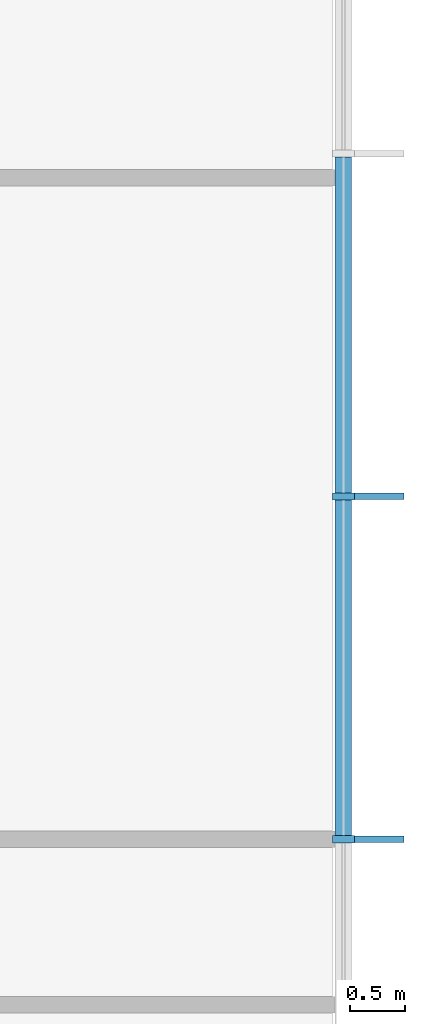
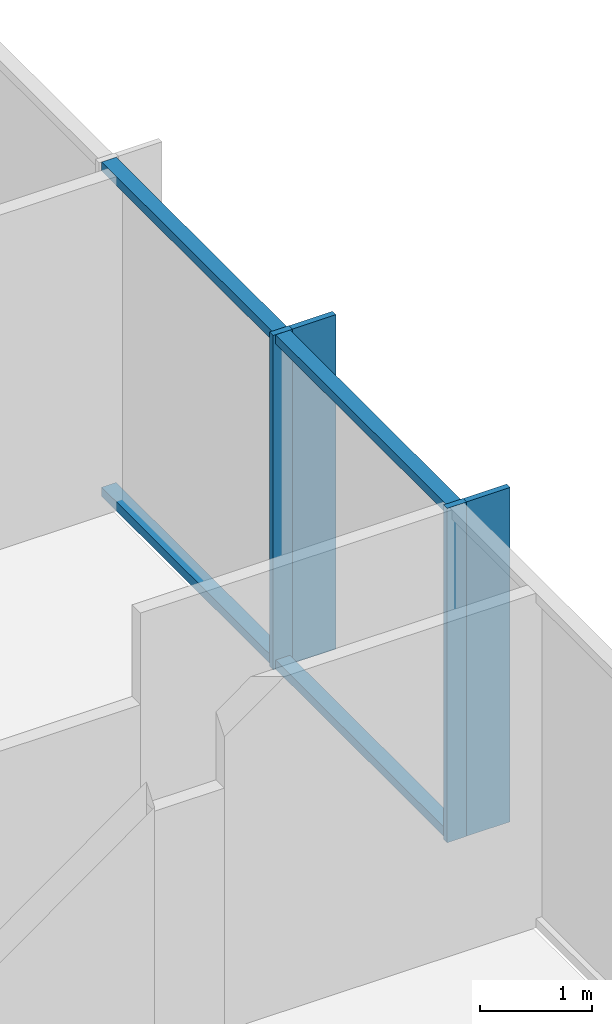
# One storey, part 5 of 13: 8 members, 1 element without a shape of its own.
"""IFC4 building model written with IfcOpenShell, lengths in metres."""

from ifc_helpers import new_model, si_unit, direction, frame, origin, origin_2d, place, context, subcontext, project, spatial, rectangle, extrude, material, layer, layer_set, material_profile, profile_set, type_object, element, aggregate, save


model = new_model("IFC4")

# Units and contexts
model_context = context("Model", 3, precision=1e-05, world=origin(), true_north=direction((0.0, 1.0)))
body_context = subcontext(model_context, "Body", "Model", "MODEL_VIEW")
ifc_project = project(units=[si_unit("LENGTHUNIT", "METRE"), si_unit("AREAUNIT", "SQUARE_METRE"), si_unit("VOLUMEUNIT", "CUBIC_METRE"), si_unit("PLANEANGLEUNIT", "RADIAN"), si_unit("MASSUNIT", "GRAM", prefix="KILO")], contexts=[model_context])

# Site, building, storey
site_placement = place(None, origin())
site = spatial("IfcSite", under=ifc_project, at=site_placement, CompositionType="ELEMENT")
building_placement = place(site_placement, origin())
building = spatial("IfcBuilding", under=site, at=building_placement, Name="Highveld Stack Headquarters", CompositionType="ELEMENT")
storey_placement = place(building_placement, frame((0.0, 0.0, 61.10009765625)))
storey = spatial("IfcBuildingStorey", under=building, at=storey_placement, Name="L14", CompositionType="ELEMENT", Elevation=61.10009765625)

# Curtain wall, members
ifc_material_1 = material(Name="Aluminium bronze anodised", Category="aluminium")
ifc_layer = layer(ifc_material_1, 0.199951171875)
ifc_layer_set = layer_set([ifc_layer], Name="Aluminium bronze anodised")
curtain_wall_type = type_object("IfcCurtainWallType", Name="CW1 TOWER UNITISED CURTAIN WALL", PredefinedType="NOTDEFINED", material=ifc_layer_set)
curtain_wall_placement = place(storey_placement, origin())
curtain_wall = element("IfcCurtainWall", 1, at=curtain_wall_placement, inside=storey, type_object=curtain_wall_type, Name="Curtain wall CW1 L14 E", PredefinedType="NOTDEFINED")
ifc_material_2 = material(Name="Aluminium bronze anodised", Category="aluminium")
ifc_material_profile_1 = material_profile(ifc_material_2, rectangle(XDim=0.449951171875, YDim=0.06005859375, at=origin_2d()), Name="FIN 450x60")
ifc_profile_set_1 = profile_set([ifc_material_profile_1], Name="Aluminium bronze anodised")
member_type_1 = type_object("IfcMemberType", Name="CW1 BRONZE FIN 450x60", PredefinedType="USERDEFINED", material=ifc_profile_set_1)
member_1_placement = place(storey_placement, frame((31.925048828125, 0.0, 0.0), z_axis=(0.0, 0.0, 1.0), x_axis=(-1.0, 0.0, 0.0)))
member_1 = element("IfcMember", 2, at=member_1_placement, type_object=member_type_1, Name="CW1 fin L14 7", ObjectType="FIN", PredefinedType="USERDEFINED", context=body_context, shape_type="SweptSolid", body=[
    extrude(rectangle(XDim=0.449951171875, YDim=0.06005859375, at=origin_2d()), origin(), (0.0, 0.0, 1.0), 3.64990234375),
])
member_2_placement = place(storey_placement, frame((31.925048828125, 3.110595703125, 0.0), z_axis=(0.0, 0.0, 1.0), x_axis=(-1.0, 0.0, 0.0)))
member_2 = element("IfcMember", 3, at=member_2_placement, type_object=member_type_1, Name="CW1 fin L14 8", ObjectType="FIN", PredefinedType="USERDEFINED", context=body_context, shape_type="SweptSolid", body=[
    extrude(rectangle(XDim=0.449951171875, YDim=0.06005859375, at=origin_2d()), origin(), (0.0, 0.0, 1.0), 3.64990234375),
])
ifc_material_3 = material(Name="Aluminium bronze anodised", Category="aluminium")
ifc_material_profile_2 = material_profile(ifc_material_3, rectangle(XDim=0.199951171875, YDim=0.06494140625, at=origin_2d()), Name="CW1 MULLION 65x200")
ifc_profile_set_2 = profile_set([ifc_material_profile_2], Name="Aluminium bronze anodised")
member_type_2 = type_object("IfcMemberType", Name="CW1 MULLION 65x200", PredefinedType="MULLION", material=ifc_profile_set_2)
member_3_placement = place(storey_placement, frame((31.60009765625, 0.0, 0.0), z_axis=(0.0, 0.0, 1.0), x_axis=(-1.0, 0.0, 0.0)))
member_3 = element("IfcMember", 4, at=member_3_placement, type_object=member_type_2, Name="CW1 mullion L14 7", PredefinedType="MULLION", context=body_context, shape_type="SweptSolid", body=[
    extrude(rectangle(XDim=0.199951171875, YDim=0.06494140625, at=origin_2d()), origin(), (0.0, 0.0, 1.0), 3.64990234375),
])
member_4_placement = place(storey_placement, frame((31.60009765625, 3.110595703125, 0.0), z_axis=(0.0, 0.0, 1.0), x_axis=(-1.0, 0.0, 0.0)))
member_4 = element("IfcMember", 5, at=member_4_placement, type_object=member_type_2, Name="CW1 mullion L14 8", PredefinedType="MULLION", context=body_context, shape_type="SweptSolid", body=[
    extrude(rectangle(XDim=0.199951171875, YDim=0.06494140625, at=origin_2d()), origin(), (0.0, 0.0, 1.0), 3.64990234375),
])
ifc_material_4 = material(Name="Aluminium bronze anodised", Category="aluminium")
ifc_material_profile_3 = material_profile(ifc_material_4, rectangle(XDim=0.14990234375, YDim=0.10009765625, at=origin_2d()), Name="CW1 TRANSOM 150x100")
ifc_profile_set_3 = profile_set([ifc_material_profile_3], Name="Aluminium bronze anodised")
member_type_3 = type_object("IfcMemberType", Name="CW1 STACK TRANSOM 150x100", PredefinedType="USERDEFINED", material=ifc_profile_set_3)
member_5_placement = place(storey_placement, frame((31.60009765625, 0.032470703125, 0.0498046875), z_axis=(0.0, 1.0, 0.0), x_axis=(-1.0, 0.0, 0.0)))
member_5 = element("IfcMember", 6, at=member_5_placement, type_object=member_type_3, Name="CW1 transom L14 7.1", ObjectType="TRANSOM", PredefinedType="USERDEFINED", context=body_context, shape_type="SweptSolid", body=[
    extrude(rectangle(XDim=0.14990234375, YDim=0.10009765625, at=origin_2d()), origin(), (0.0, 0.0, 1.0), 3.04541015625),
])
member_6_placement = place(storey_placement, frame((31.60009765625, 0.032470703125, 3.599853515625), z_axis=(0.0, 1.0, 0.0), x_axis=(-1.0, 0.0, 0.0)))
member_6 = element("IfcMember", 7, at=member_6_placement, type_object=member_type_3, Name="CW1 transom L14 7.2", ObjectType="TRANSOM", PredefinedType="USERDEFINED", context=body_context, shape_type="SweptSolid", body=[
    extrude(rectangle(XDim=0.14990234375, YDim=0.10009765625, at=origin_2d()), origin(), (0.0, 0.0, 1.0), 3.04541015625),
])
member_7_placement = place(storey_placement, frame((31.60009765625, 3.142822265625, 0.0498046875), z_axis=(0.0, 1.0, 0.0), x_axis=(-1.0, 0.0, 0.0)))
member_7 = element("IfcMember", 8, at=member_7_placement, type_object=member_type_3, Name="CW1 transom L14 8.1", ObjectType="TRANSOM", PredefinedType="USERDEFINED", context=body_context, shape_type="SweptSolid", body=[
    extrude(rectangle(XDim=0.14990234375, YDim=0.10009765625, at=origin_2d()), origin(), (0.0, 0.0, 1.0), 3.045654296875),
])
member_8_placement = place(storey_placement, frame((31.60009765625, 3.142822265625, 3.599853515625), z_axis=(0.0, 1.0, 0.0), x_axis=(-1.0, 0.0, 0.0)))
member_8 = element("IfcMember", 9, at=member_8_placement, type_object=member_type_3, Name="CW1 transom L14 8.2", ObjectType="TRANSOM", PredefinedType="USERDEFINED", context=body_context, shape_type="SweptSolid", body=[
    extrude(rectangle(XDim=0.14990234375, YDim=0.10009765625, at=origin_2d()), origin(), (0.0, 0.0, 1.0), 3.045654296875),
])
aggregate(curtain_wall, [member_3, member_1, member_4, member_2, member_5, member_6, member_7, member_8])

save(model, "model.ifc")
